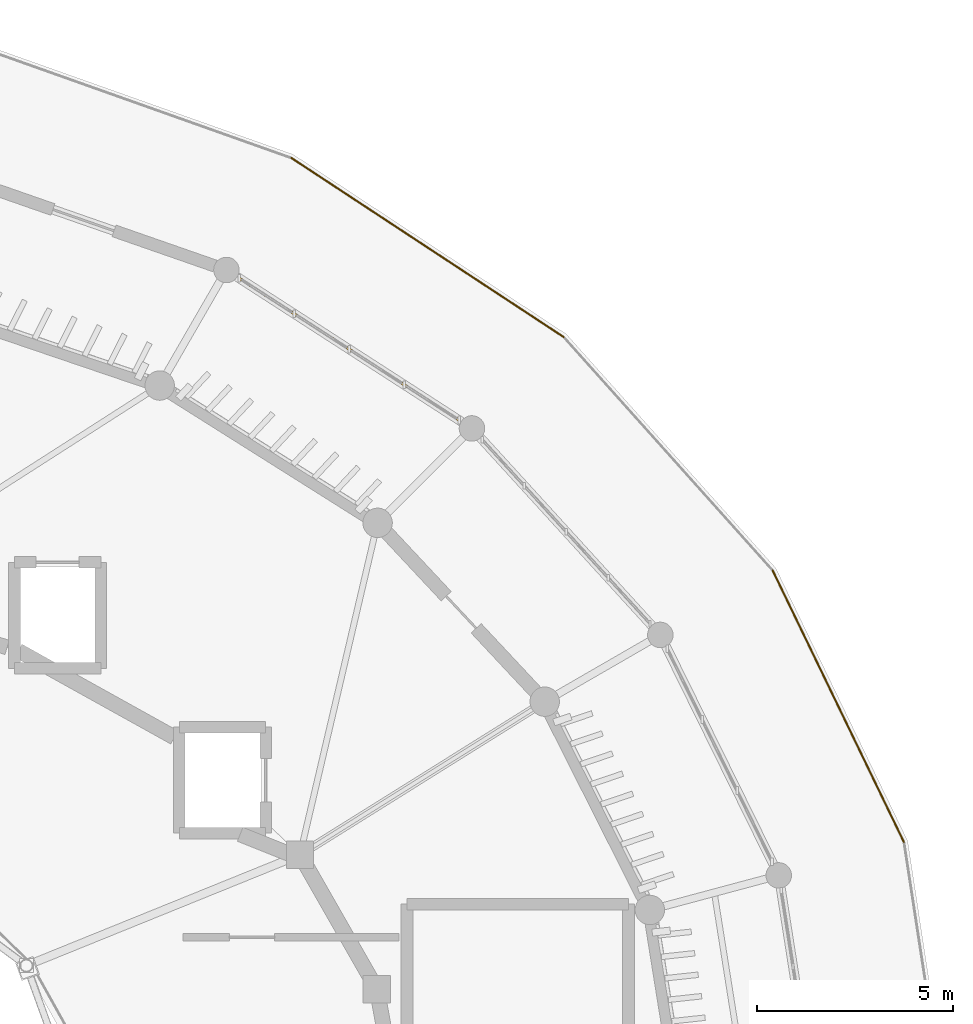
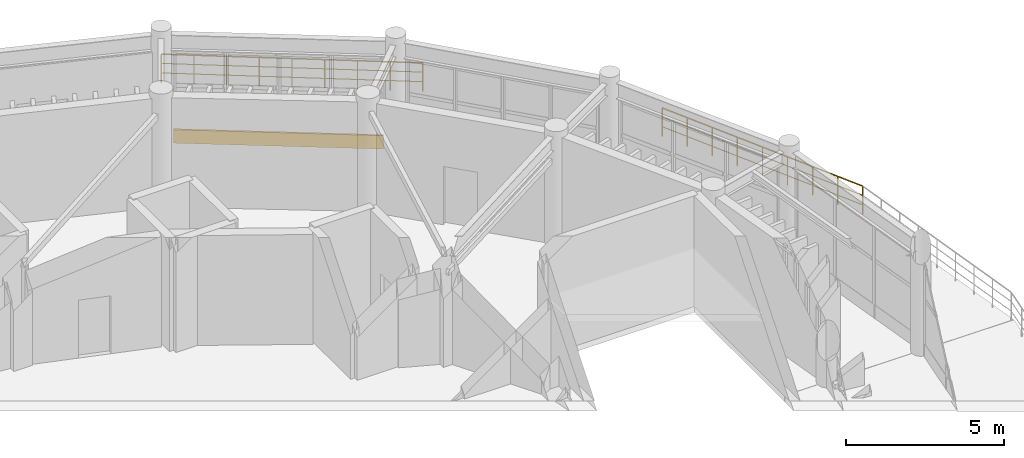
# One storey, part 45 of 45: 2 railings, 1 covering.
"""IFC4 building model written with IfcOpenShell, lengths in metres."""

from ifc_helpers import new_model, si_unit, direction, frame, origin, origin_2d, place, context, subcontext, project, spatial, rectangle, circle, extrude, material, layer, layer_set, type_object, element, save


model = new_model("IFC4")

# Units and contexts
model_context = context("Model", 3, precision=1e-05, world=origin(), true_north=direction((0.0, 1.0)))
body_context = subcontext(model_context, "Body", "Model", "MODEL_VIEW")
ifc_project = project(units=[si_unit("LENGTHUNIT", "METRE"), si_unit("AREAUNIT", "SQUARE_METRE"), si_unit("VOLUMEUNIT", "CUBIC_METRE"), si_unit("PLANEANGLEUNIT", "RADIAN"), si_unit("MASSUNIT", "GRAM", prefix="KILO")], contexts=[model_context])

# Site, building, storey
site_placement = place(None, origin())
site = spatial("IfcSite", under=ifc_project, at=site_placement, CompositionType="ELEMENT")
building_placement = place(site_placement, origin())
building = spatial("IfcBuilding", under=site, at=building_placement, Name="Cinderbank Siding Concert Hall", CompositionType="ELEMENT")
storey_placement = place(building_placement, frame((0.0, 0.0, 19.199951171875)))
storey = spatial("IfcBuildingStorey", under=building, at=storey_placement, Name="L05", CompositionType="ELEMENT", Elevation=19.199951171875)

# Covering
ifc_material_1 = material(Name="Spotted gum glulam timber GL18 (42 MPa)", Category="wood")
ifc_layer = layer(ifc_material_1, 0.06494140625)
ifc_layer_set = layer_set([ifc_layer], Name="Spotted gum glulam timber GL18 (42 MPa)")
covering_type = type_object("IfcCoveringType", Name="CL-01 Spotted Gum Spandrel Band 520mm", PredefinedType="CLADDING", material=ifc_layer_set)
covering_placement = place(storey_placement, frame((140.227294921875, 63.978759765625, 0.0), z_axis=(0.0, 0.0, 1.0), x_axis=(-0.840218663385, 0.542247727243, 0.0)))
element("IfcCovering", 1, at=covering_placement, inside=storey, type_object=covering_type, Name="CW-L05-075 Spotted Gum Spandrel Band", PredefinedType="CLADDING", context=body_context, shape_type="SweptSolid", body=[
    extrude(rectangle(XDim=6.6640625, YDim=0.06494140625, at=origin_2d()), origin(), (0.0, 0.0, 1.0), 0.52001953125),
])

# Railings
ifc_material_2 = material(Name="Structural steel AS/NZS 3679.1 Grade 350 (340 MPa)", Category="steel")
railing_type = type_object("IfcRailingType", Name="GD-01 Terrace & Perimeter Guardrail 1120mm", PredefinedType="GUARDRAIL", material=ifc_material_2)
railing_1_placement = place(storey_placement, frame((138.755126953125, 68.851318359375, 0.0)))
element("IfcRailing", 2, at=railing_1_placement, inside=storey, type_object=railing_type, Name="L05 Perimeter Guardrail #103", PredefinedType="GUARDRAIL", context=body_context, shape_type="SweptSolid", body=[
    extrude(circle(Radius=0.02392578125, at=origin_2d()), frame((0.0, 0.0, 1.09619140625), z_axis=(0.835498780088, -0.549492300649, 0.0), x_axis=(0.549492300649, 0.835498780088, 0.0)), (0.0, 0.0, 1.0), 8.303955078125),
    extrude(circle(Radius=0.01611328125, at=origin_2d()), frame((0.0, 0.0, 0.36962890625), z_axis=(0.835498780088, -0.549492300649, 0.0), x_axis=(0.549492300649, 0.835498780088, 0.0)), (0.0, 0.0, 1.0), 8.303955078125),
    extrude(circle(Radius=0.01611328125, at=origin_2d()), frame((0.0, 0.0, 0.7392578125), z_axis=(0.835498780088, -0.549492300649, 0.0), x_axis=(0.549492300649, 0.835498780088, 0.0)), (0.0, 0.0, 1.0), 8.303955078125),
    extrude(circle(Radius=0.02099609375, at=origin_2d()), origin(), (0.0, 0.0, 1.0), 1.072021484375),
    extrude(circle(Radius=0.02099609375, at=origin_2d()), frame((0.8671875, -0.5703125, 0.0)), (0.0, 0.0, 1.0), 1.072021484375),
    extrude(circle(Radius=0.02099609375, at=origin_2d()), frame((1.734375, -1.140625, 0.0)), (0.0, 0.0, 1.0), 1.072021484375),
    extrude(circle(Radius=0.02099609375, at=origin_2d()), frame((2.601806640625, -1.711181640625, 0.0)), (0.0, 0.0, 1.0), 1.072021484375),
    extrude(circle(Radius=0.02099609375, at=origin_2d()), frame((3.468994140625, -2.281494140625, 0.0)), (0.0, 0.0, 1.0), 1.072021484375),
    extrude(circle(Radius=0.02099609375, at=origin_2d()), frame((4.336181640625, -2.851806640625, 0.0)), (0.0, 0.0, 1.0), 1.072021484375),
    extrude(circle(Radius=0.02099609375, at=origin_2d()), frame((5.20361328125, -3.42236328125, 0.0)), (0.0, 0.0, 1.0), 1.072021484375),
    extrude(circle(Radius=0.02099609375, at=origin_2d()), frame((6.07080078125, -3.99267578125, 0.0)), (0.0, 0.0, 1.0), 1.072021484375),
    extrude(circle(Radius=0.02099609375, at=origin_2d()), frame((6.93798828125, -4.56298828125, 0.0)), (0.0, 0.0, 1.0), 1.072021484375),
])
railing_2_placement = place(storey_placement, frame((151.0146484375, 58.34375, 0.0)))
element("IfcRailing", 3, at=railing_2_placement, inside=storey, type_object=railing_type, Name="L05 Perimeter Guardrail #105", PredefinedType="GUARDRAIL", context=body_context, shape_type="SweptSolid", body=[
    extrude(circle(Radius=0.02392578125, at=origin_2d()), frame((0.0, 0.0, 1.09619140625), z_axis=(0.435088399424, -0.900387741302, 0.0), x_axis=(0.900387741302, 0.435088399424, 0.0)), (0.0, 0.0, 1.0), 7.685302734375),
    extrude(circle(Radius=0.01611328125, at=origin_2d()), frame((0.0, 0.0, 0.36962890625), z_axis=(0.435088399424, -0.900387741302, 0.0), x_axis=(0.900387741302, 0.435088399424, 0.0)), (0.0, 0.0, 1.0), 7.685302734375),
    extrude(circle(Radius=0.01611328125, at=origin_2d()), frame((0.0, 0.0, 0.7392578125), z_axis=(0.435088399424, -0.900387741302, 0.0), x_axis=(0.900387741302, 0.435088399424, 0.0)), (0.0, 0.0, 1.0), 7.685302734375),
    extrude(circle(Radius=0.02099609375, at=origin_2d()), origin(), (0.0, 0.0, 1.0), 1.072021484375),
    extrude(circle(Radius=0.02099609375, at=origin_2d()), frame((0.41796875, -0.864990234375, 0.0)), (0.0, 0.0, 1.0), 1.072021484375),
    extrude(circle(Radius=0.02099609375, at=origin_2d()), frame((0.8359375, -1.72998046875, 0.0)), (0.0, 0.0, 1.0), 1.072021484375),
    extrude(circle(Radius=0.02099609375, at=origin_2d()), frame((1.25390625, -2.594970703125, 0.0)), (0.0, 0.0, 1.0), 1.072021484375),
    extrude(circle(Radius=0.02099609375, at=origin_2d()), frame((1.671875, -3.4599609375, 0.0)), (0.0, 0.0, 1.0), 1.072021484375),
    extrude(circle(Radius=0.02099609375, at=origin_2d()), frame((2.08984375, -4.32470703125, 0.0)), (0.0, 0.0, 1.0), 1.072021484375),
    extrude(circle(Radius=0.02099609375, at=origin_2d()), frame((2.5078125, -5.189697265625, 0.0)), (0.0, 0.0, 1.0), 1.072021484375),
    extrude(circle(Radius=0.02099609375, at=origin_2d()), frame((2.92578125, -6.0546875, 0.0)), (0.0, 0.0, 1.0), 1.072021484375),
    extrude(circle(Radius=0.02099609375, at=origin_2d()), frame((3.34375, -6.919677734375, 0.0)), (0.0, 0.0, 1.0), 1.072021484375),
])

save(model, "model.ifc")
